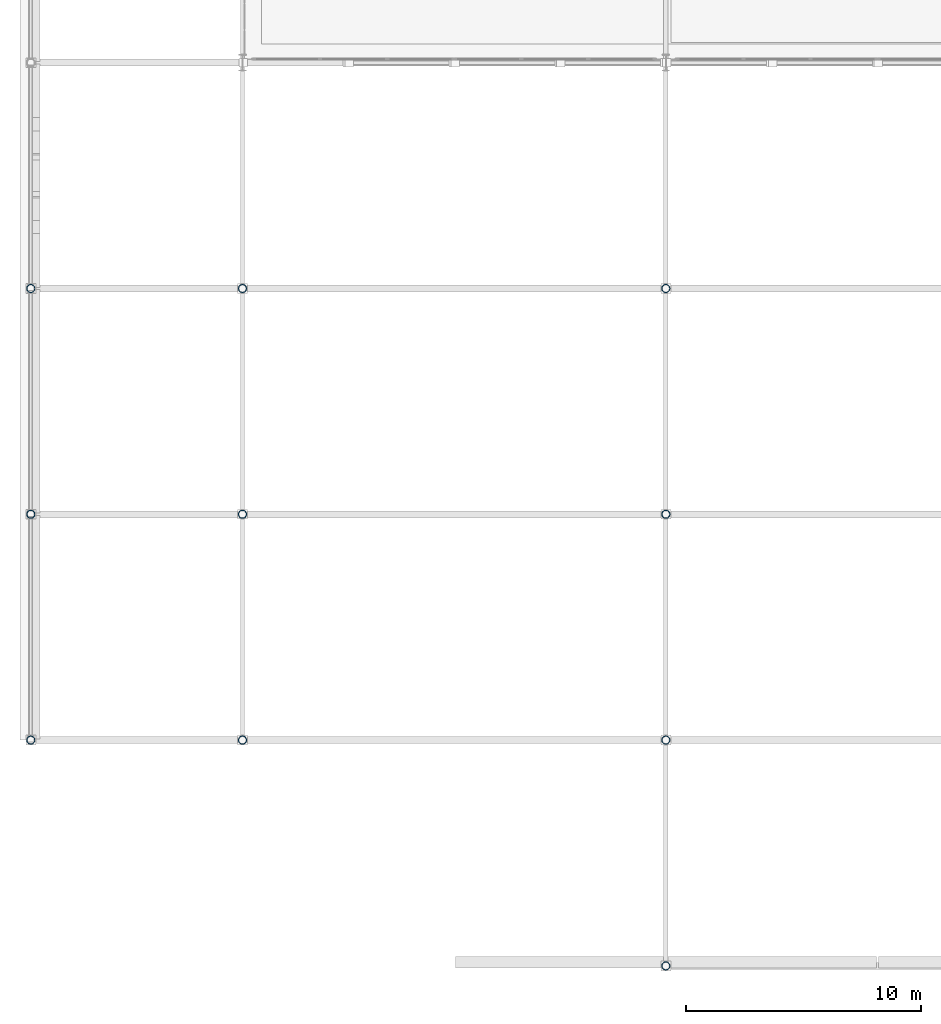
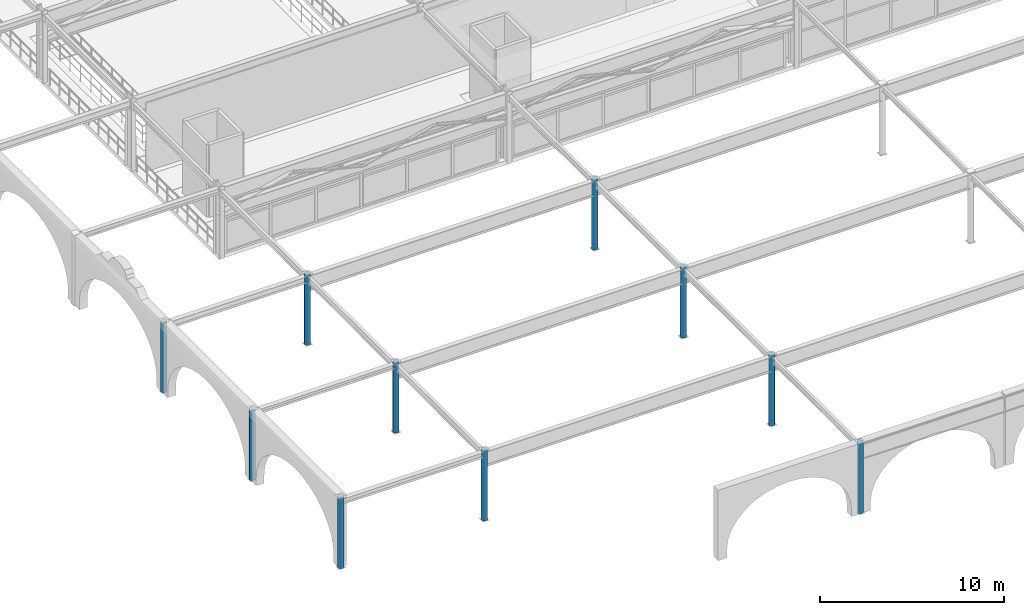
# One storey, part 1 of 125: 10 columns.
"""IFC4 building model written with IfcOpenShell, lengths in metres."""

from ifc_helpers import new_model, si_unit, direction, frame, origin, origin_2d, place, context, subcontext, project, spatial, hollow_circle, extrude, material, material_profile, profile_set, type_object, element, save


model = new_model("IFC4")

# Units and contexts
model_context = context("Model", 3, precision=1e-05, world=origin(), true_north=direction((0.0, 1.0)))
body_context = subcontext(model_context, "Body", "Model", "MODEL_VIEW")
ifc_project = project(units=[si_unit("LENGTHUNIT", "METRE"), si_unit("AREAUNIT", "SQUARE_METRE"), si_unit("VOLUMEUNIT", "CUBIC_METRE"), si_unit("PLANEANGLEUNIT", "RADIAN"), si_unit("MASSUNIT", "GRAM", prefix="KILO")], contexts=[model_context])

# Site, building, storey
site_placement = place(None, origin())
site = spatial("IfcSite", under=ifc_project, at=site_placement, CompositionType="ELEMENT")
building_placement = place(site_placement, origin())
building = spatial("IfcBuilding", under=site, at=building_placement, Name="Myrtia Square Station", CompositionType="ELEMENT")
storey_placement = place(building_placement, frame((0.0, 0.0, 6.0)))
storey = spatial("IfcBuildingStorey", under=building, at=storey_placement, Name="L01", CompositionType="ELEMENT", Elevation=6.0)

# Columns
ifc_material = material(Name="Steel S355", Category="steel")
ifc_material_profile = material_profile(ifc_material, hollow_circle(Radius=0.177734375, WallThickness=0.02001953125, at=origin_2d()), Name="CHS 355.6x20")
ifc_profile_set = profile_set([ifc_material_profile], Name="Steel S355")
column_type = type_object("IfcColumnType", Name="COL-CHS355", PredefinedType="COLUMN", material=ifc_profile_set)
for number, where, z_axis, x_axis, name in (
    (1, (0.0, 9.60009765625, 0.0), (0.0, 0.0, 1.0), (1.0, 0.0, 0.0), "Column L01-0003"),
    (2, (0.0, 19.199951171875, 0.0), (0.0, 0.0, 1.0), (1.0, 0.0, 0.0), "Column L01-0006"),
    (3, (0.0, 28.800048828125, 0.0), (0.0, 0.0, 1.0), (1.0, 0.0, 0.0), "Column L01-0009"),
    (4, (9.0, 9.60009765625, 0.0), (0.0, 0.0, 1.0), (1.0, 0.0, 0.0), "Column L01-0039"),
    (5, (9.0, 19.199951171875, 0.0), (0.0, 0.0, 1.0), (1.0, 0.0, 0.0), "Column L01-0042"),
    (6, (9.0, 28.800048828125, 0.0), (0.0, 0.0, 1.0), (1.0, 0.0, 0.0), "Column L01-0045"),
    (7, (27.0, 0.0, 0.0), (0.0, 0.0, 1.0), (1.0, 0.0, 0.0), "Column L01-0075"),
    (8, (27.0, 9.60009765625, 0.0), (0.0, 0.0, 1.0), (1.0, 0.0, 0.0), "Column L01-0078"),
    (9, (27.0, 19.199951171875, 0.0), (0.0, 0.0, 1.0), (1.0, 0.0, 0.0), "Column L01-0081"),
    (10, (27.0, 28.800048828125, 0.0), (0.0, 0.0, 1.0), (1.0, 0.0, 0.0), "Column L01-0084"),
):
    element("IfcColumn", number, at=place(storey_placement, frame(where, z_axis=z_axis, x_axis=x_axis)), inside=storey, type_object=column_type, Name=name, PredefinedType="COLUMN", context=body_context, shape_type="SweptSolid", body=[
        extrude(hollow_circle(Radius=0.177734375, WallThickness=0.02001953125, at=origin_2d()), origin(), (0.0, 0.0, 1.0), 4.679931640625),
    ])

save(model, "model.ifc")
